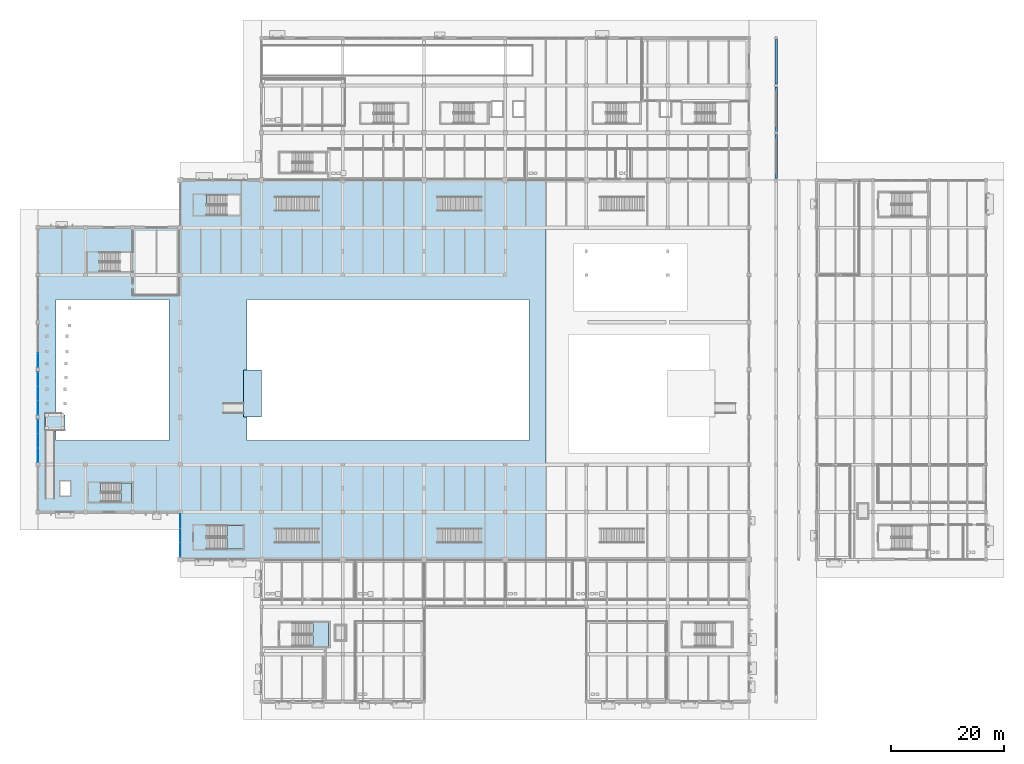
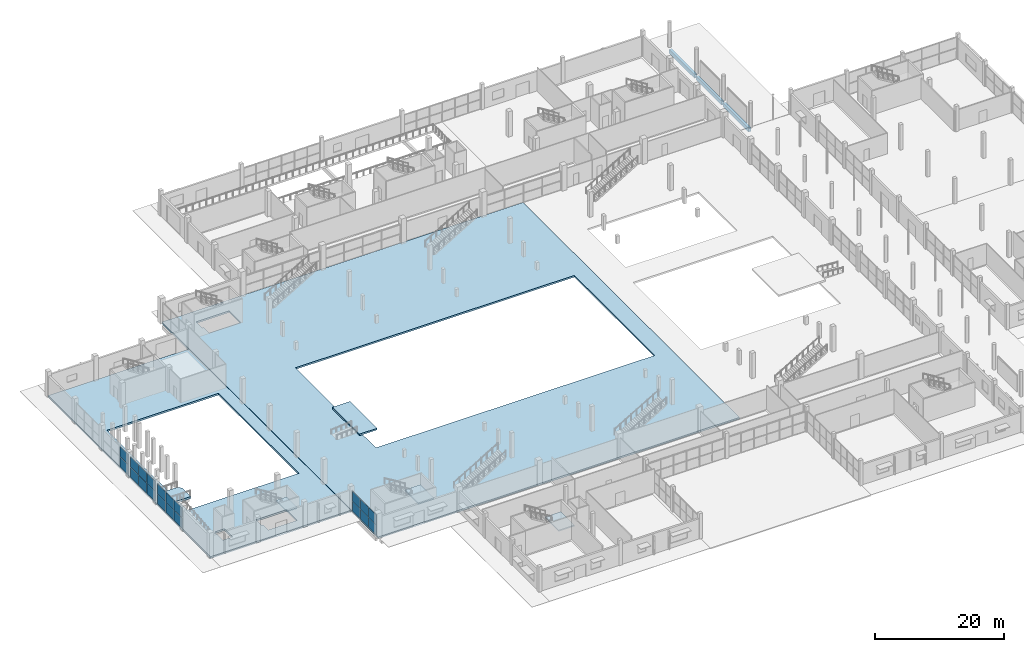
# One storey, part 82 of 130: 20 plates, 7 slabs, 3 beams, 7 elements without a shape of their own.
"""IFC4 building model written with IfcOpenShell, lengths in metres."""

from ifc_helpers import new_model, si_unit, direction, frame, origin, origin_2d, place, context, subcontext, project, spatial, polyline, rectangle, outline, extrude, material, layer, layer_set, material_profile, profile_set, type_object, element, aggregate, save


model = new_model("IFC4")

# Units and contexts
model_context = context("Model", 3, precision=1e-05, world=origin(), true_north=direction((0.0, 1.0)))
body_context = subcontext(model_context, "Body", "Model", "MODEL_VIEW")
ifc_project = project(units=[si_unit("LENGTHUNIT", "METRE"), si_unit("AREAUNIT", "SQUARE_METRE"), si_unit("VOLUMEUNIT", "CUBIC_METRE"), si_unit("PLANEANGLEUNIT", "RADIAN"), si_unit("MASSUNIT", "GRAM", prefix="KILO"), si_unit("THERMODYNAMICTEMPERATUREUNIT", "KELVIN")], contexts=[model_context])

# Site, building, storey
site_placement = place(None, origin())
site = spatial("IfcSite", under=ifc_project, at=site_placement, CompositionType="ELEMENT")
building_placement = place(site_placement, origin())
building = spatial("IfcBuilding", under=site, at=building_placement, Name="Nduvali Passage Aquatics Centre", CompositionType="ELEMENT")
storey_placement = place(building_placement, origin())
storey = spatial("IfcBuildingStorey", under=building, at=storey_placement, Name="L00", CompositionType="ELEMENT", Elevation=0.0)

# Beams
ifc_material_1 = material(Name="Concrete C40/50", Category="concrete")
ifc_material_profile = material_profile(ifc_material_1, rectangle(XDim=0.449951171875, YDim=0.75, at=origin_2d()), Name="RC 450x750")
ifc_profile_set = profile_set([ifc_material_profile], Name="Concrete C40/50")
beam_type = type_object("IfcBeamType", Name="STR-BM-RC4575", PredefinedType="BEAM", material=ifc_profile_set)
beam_1_placement = place(storey_placement, frame((130.800048828125, 92.675048828125, -0.675048828125), z_axis=(0.0, 1.0, 0.0), x_axis=(-1.0, 0.0, 0.0)))
element("IfcBeam", 1, at=beam_1_placement, inside=storey, type_object=beam_type, Name="L00 Primary Y-Girder B3-0212", PredefinedType="BEAM", context=body_context, shape_type="SweptSolid", body=[
    extrude(rectangle(XDim=0.449951171875, YDim=0.75, at=origin_2d()), origin(), (0.0, 0.0, 1.0), 7.849853515625),
])
beam_2_placement = place(storey_placement, frame((130.800048828125, 101.074951171875, -0.675048828125), z_axis=(0.0, 1.0, 0.0), x_axis=(-1.0, 0.0, 0.0)))
element("IfcBeam", 2, at=beam_2_placement, inside=storey, type_object=beam_type, Name="L00 Primary Y-Girder B3-0213", PredefinedType="BEAM", context=body_context, shape_type="SweptSolid", body=[
    extrude(rectangle(XDim=0.449951171875, YDim=0.75, at=origin_2d()), origin(), (0.0, 0.0, 1.0), 7.85009765625),
])
beam_3_placement = place(storey_placement, frame((130.800048828125, 109.47509765625, -0.675048828125), z_axis=(0.0, 1.0, 0.0), x_axis=(-1.0, 0.0, 0.0)))
element("IfcBeam", 3, at=beam_3_placement, inside=storey, type_object=beam_type, Name="L00 Primary Y-Girder B3-0214", PredefinedType="BEAM", context=body_context, shape_type="SweptSolid", body=[
    extrude(rectangle(XDim=0.449951171875, YDim=0.75, at=origin_2d()), origin(), (0.0, 0.0, 1.0), 7.849853515625),
])

# Curtain wall, plates
ifc_material_2 = material(Name="Aluminium EN AW-6063 T6", Category="aluminium")
curtain_wall_type_1 = type_object("IfcCurtainWallType", Name="ENV-CW-HALL", PredefinedType="NOTDEFINED", material=ifc_material_2)
curtain_wall_1_placement = place(storey_placement, origin())
curtain_wall_1 = element("IfcCurtainWall", 4, at=curtain_wall_1_placement, inside=storey, type_object=curtain_wall_type_1, Name="L00 West Pool Hall Lower Glazing 001", PredefinedType="NOTDEFINED")
ifc_material_3 = material(Name="Laminated solar-control low-E IGU")
ifc_layer_1 = layer(ifc_material_3, 0.031982421875, Name="Laminated solar-control low-E IGU")
ifc_layer_set_1 = layer_set([ifc_layer_1], Name="Laminated solar-control low-E IGU")
plate_type = type_object("IfcPlateType", Name="ENV-PLT-GLZ32", PredefinedType="CURTAIN_PANEL", material=ifc_layer_set_1)
plate_1_placement = place(storey_placement, frame((25.199951171875, 26.927490234375, 0.06005859375), z_axis=(0.0, 0.0, 1.0), x_axis=(0.0, 1.0, 0.0)))
plate_1 = element("IfcPlate", 5, at=plate_1_placement, type_object=plate_type, Name="West Pool Hall Lower Glazing Glazed Panel B1-R1", PredefinedType="CURTAIN_PANEL", context=body_context, shape_type="SweptSolid", body=[
    extrude(rectangle(XDim=2.43505859375, YDim=0.031982421875, at=origin_2d()), origin(), (0.0, 0.0, 1.0), 1.898193359375),
])
plate_2_placement = place(storey_placement, frame((25.199951171875, 26.927490234375, 2.01806640625), z_axis=(0.0, 0.0, 1.0), x_axis=(0.0, 1.0, 0.0)))
plate_2 = element("IfcPlate", 6, at=plate_2_placement, type_object=plate_type, Name="West Pool Hall Lower Glazing Glazed Panel B1-R2", PredefinedType="CURTAIN_PANEL", context=body_context, shape_type="SweptSolid", body=[
    extrude(rectangle(XDim=2.43505859375, YDim=0.031982421875, at=origin_2d()), origin(), (0.0, 0.0, 1.0), 1.898193359375),
])
plate_3_placement = place(storey_placement, frame((25.199951171875, 29.4375, 0.06005859375), z_axis=(0.0, 0.0, 1.0), x_axis=(0.0, 1.0, 0.0)))
plate_3 = element("IfcPlate", 7, at=plate_3_placement, type_object=plate_type, Name="West Pool Hall Lower Glazing Glazed Panel B2-R1", PredefinedType="CURTAIN_PANEL", context=body_context, shape_type="SweptSolid", body=[
    extrude(rectangle(XDim=2.465087890625, YDim=0.031982421875, at=origin_2d()), origin(), (0.0, 0.0, 1.0), 1.898193359375),
])
plate_4_placement = place(storey_placement, frame((25.199951171875, 29.4375, 2.01806640625), z_axis=(0.0, 0.0, 1.0), x_axis=(0.0, 1.0, 0.0)))
plate_4 = element("IfcPlate", 8, at=plate_4_placement, type_object=plate_type, Name="West Pool Hall Lower Glazing Glazed Panel B2-R2", PredefinedType="CURTAIN_PANEL", context=body_context, shape_type="SweptSolid", body=[
    extrude(rectangle(XDim=2.465087890625, YDim=0.031982421875, at=origin_2d()), origin(), (0.0, 0.0, 1.0), 1.898193359375),
])
plate_5_placement = place(storey_placement, frame((25.199951171875, 31.947509765625, 0.06005859375), z_axis=(0.0, 0.0, 1.0), x_axis=(0.0, 1.0, 0.0)))
plate_5 = element("IfcPlate", 9, at=plate_5_placement, type_object=plate_type, Name="West Pool Hall Lower Glazing Glazed Panel B3-R1", PredefinedType="CURTAIN_PANEL", context=body_context, shape_type="SweptSolid", body=[
    extrude(rectangle(XDim=2.43505859375, YDim=0.031982421875, at=origin_2d()), origin(), (0.0, 0.0, 1.0), 1.898193359375),
])
plate_6_placement = place(storey_placement, frame((25.199951171875, 31.947509765625, 2.01806640625), z_axis=(0.0, 0.0, 1.0), x_axis=(0.0, 1.0, 0.0)))
plate_6 = element("IfcPlate", 10, at=plate_6_placement, type_object=plate_type, Name="West Pool Hall Lower Glazing Glazed Panel B3-R2", PredefinedType="CURTAIN_PANEL", context=body_context, shape_type="SweptSolid", body=[
    extrude(rectangle(XDim=2.43505859375, YDim=0.031982421875, at=origin_2d()), origin(), (0.0, 0.0, 1.0), 1.898193359375),
])
aggregate(curtain_wall_1, [plate_1, plate_2, plate_3, plate_4, plate_5, plate_6])

curtain_wall_type_2 = type_object("IfcCurtainWallType", Name="ENV-CW-DIVE", PredefinedType="NOTDEFINED", material=ifc_material_2)
curtain_wall_2_placement = place(storey_placement, origin())
curtain_wall_2 = element("IfcCurtainWall", 11, at=curtain_wall_2_placement, inside=storey, type_object=curtain_wall_type_2, Name="L00 West Diving Pool Viewing CW 127", PredefinedType="NOTDEFINED")
plate_7_placement = place(storey_placement, frame((0.0, 43.6650390625, 0.06005859375), z_axis=(0.0, 0.0, 1.0), x_axis=(0.0, 1.0, 0.0)))
plate_7 = element("IfcPlate", 12, at=plate_7_placement, type_object=plate_type, Name="West Diving Pool Viewing CW Glazed Panel B1-R1", PredefinedType="CURTAIN_PANEL", context=body_context, shape_type="SweptSolid", body=[
    extrude(rectangle(XDim=2.4599609375, YDim=0.031982421875, at=origin_2d()), origin(), (0.0, 0.0, 1.0), 1.898193359375),
])
plate_8_placement = place(storey_placement, frame((0.0, 43.6650390625, 2.01806640625), z_axis=(0.0, 0.0, 1.0), x_axis=(0.0, 1.0, 0.0)))
plate_8 = element("IfcPlate", 13, at=plate_8_placement, type_object=plate_type, Name="West Diving Pool Viewing CW Glazed Panel B1-R2", PredefinedType="CURTAIN_PANEL", context=body_context, shape_type="SweptSolid", body=[
    extrude(rectangle(XDim=2.4599609375, YDim=0.031982421875, at=origin_2d()), origin(), (0.0, 0.0, 1.0), 1.898193359375),
])
plate_9_placement = place(storey_placement, frame((0.0, 46.199951171875, 0.06005859375), z_axis=(0.0, 0.0, 1.0), x_axis=(0.0, 1.0, 0.0)))
plate_9 = element("IfcPlate", 14, at=plate_9_placement, type_object=plate_type, Name="West Diving Pool Viewing CW Glazed Panel B2-R1", PredefinedType="CURTAIN_PANEL", context=body_context, shape_type="SweptSolid", body=[
    extrude(rectangle(XDim=2.489990234375, YDim=0.031982421875, at=origin_2d()), origin(), (0.0, 0.0, 1.0), 1.898193359375),
])
plate_10_placement = place(storey_placement, frame((0.0, 46.199951171875, 2.01806640625), z_axis=(0.0, 0.0, 1.0), x_axis=(0.0, 1.0, 0.0)))
plate_10 = element("IfcPlate", 15, at=plate_10_placement, type_object=plate_type, Name="West Diving Pool Viewing CW Glazed Panel B2-R2", PredefinedType="CURTAIN_PANEL", context=body_context, shape_type="SweptSolid", body=[
    extrude(rectangle(XDim=2.489990234375, YDim=0.031982421875, at=origin_2d()), origin(), (0.0, 0.0, 1.0), 1.898193359375),
])
plate_11_placement = place(storey_placement, frame((0.0, 48.735107421875, 0.06005859375), z_axis=(0.0, 0.0, 1.0), x_axis=(0.0, 1.0, 0.0)))
plate_11 = element("IfcPlate", 16, at=plate_11_placement, type_object=plate_type, Name="West Diving Pool Viewing CW Glazed Panel B3-R1", PredefinedType="CURTAIN_PANEL", context=body_context, shape_type="SweptSolid", body=[
    extrude(rectangle(XDim=2.4599609375, YDim=0.031982421875, at=origin_2d()), origin(), (0.0, 0.0, 1.0), 1.898193359375),
])
plate_12_placement = place(storey_placement, frame((0.0, 48.735107421875, 2.01806640625), z_axis=(0.0, 0.0, 1.0), x_axis=(0.0, 1.0, 0.0)))
plate_12 = element("IfcPlate", 17, at=plate_12_placement, type_object=plate_type, Name="West Diving Pool Viewing CW Glazed Panel B3-R2", PredefinedType="CURTAIN_PANEL", context=body_context, shape_type="SweptSolid", body=[
    extrude(rectangle(XDim=2.4599609375, YDim=0.031982421875, at=origin_2d()), origin(), (0.0, 0.0, 1.0), 1.898193359375),
])
aggregate(curtain_wall_2, [plate_7, plate_8, plate_9, plate_10, plate_11, plate_12])

curtain_wall_3_placement = place(storey_placement, origin())
curtain_wall_3 = element("IfcCurtainWall", 18, at=curtain_wall_3_placement, inside=storey, type_object=curtain_wall_type_2, Name="L00 West Diving Pool Viewing CW 132", PredefinedType="NOTDEFINED")
plate_13_placement = place(storey_placement, frame((0.0, 52.06494140625, 0.06005859375), z_axis=(0.0, 0.0, 1.0), x_axis=(0.0, 1.0, 0.0)))
plate_13 = element("IfcPlate", 19, at=plate_13_placement, type_object=plate_type, Name="West Diving Pool Viewing CW Glazed Panel B1-R1", PredefinedType="CURTAIN_PANEL", context=body_context, shape_type="SweptSolid", body=[
    extrude(rectangle(XDim=2.4599609375, YDim=0.031982421875, at=origin_2d()), origin(), (0.0, 0.0, 1.0), 1.898193359375),
])
plate_14_placement = place(storey_placement, frame((0.0, 52.06494140625, 2.01806640625), z_axis=(0.0, 0.0, 1.0), x_axis=(0.0, 1.0, 0.0)))
plate_14 = element("IfcPlate", 20, at=plate_14_placement, type_object=plate_type, Name="West Diving Pool Viewing CW Glazed Panel B1-R2", PredefinedType="CURTAIN_PANEL", context=body_context, shape_type="SweptSolid", body=[
    extrude(rectangle(XDim=2.4599609375, YDim=0.031982421875, at=origin_2d()), origin(), (0.0, 0.0, 1.0), 1.898193359375),
])
plate_15_placement = place(storey_placement, frame((0.0, 54.60009765625, 0.06005859375), z_axis=(0.0, 0.0, 1.0), x_axis=(0.0, 1.0, 0.0)))
plate_15 = element("IfcPlate", 21, at=plate_15_placement, type_object=plate_type, Name="West Diving Pool Viewing CW Glazed Panel B2-R1", PredefinedType="CURTAIN_PANEL", context=body_context, shape_type="SweptSolid", body=[
    extrude(rectangle(XDim=2.489990234375, YDim=0.031982421875, at=origin_2d()), origin(), (0.0, 0.0, 1.0), 1.898193359375),
])
plate_16_placement = place(storey_placement, frame((0.0, 54.60009765625, 2.01806640625), z_axis=(0.0, 0.0, 1.0), x_axis=(0.0, 1.0, 0.0)))
plate_16 = element("IfcPlate", 22, at=plate_16_placement, type_object=plate_type, Name="West Diving Pool Viewing CW Glazed Panel B2-R2", PredefinedType="CURTAIN_PANEL", context=body_context, shape_type="SweptSolid", body=[
    extrude(rectangle(XDim=2.489990234375, YDim=0.031982421875, at=origin_2d()), origin(), (0.0, 0.0, 1.0), 1.898193359375),
])
plate_17_placement = place(storey_placement, frame((0.0, 57.135009765625, 0.06005859375), z_axis=(0.0, 0.0, 1.0), x_axis=(0.0, 1.0, 0.0)))
plate_17 = element("IfcPlate", 23, at=plate_17_placement, type_object=plate_type, Name="West Diving Pool Viewing CW Glazed Panel B3-R1", PredefinedType="CURTAIN_PANEL", context=body_context, shape_type="SweptSolid", body=[
    extrude(rectangle(XDim=2.4599609375, YDim=0.031982421875, at=origin_2d()), origin(), (0.0, 0.0, 1.0), 1.898193359375),
])
plate_18_placement = place(storey_placement, frame((0.0, 57.135009765625, 2.01806640625), z_axis=(0.0, 0.0, 1.0), x_axis=(0.0, 1.0, 0.0)))
plate_18 = element("IfcPlate", 24, at=plate_18_placement, type_object=plate_type, Name="West Diving Pool Viewing CW Glazed Panel B3-R2", PredefinedType="CURTAIN_PANEL", context=body_context, shape_type="SweptSolid", body=[
    extrude(rectangle(XDim=2.4599609375, YDim=0.031982421875, at=origin_2d()), origin(), (0.0, 0.0, 1.0), 1.898193359375),
])
aggregate(curtain_wall_3, [plate_13, plate_14, plate_15, plate_16, plate_17, plate_18])

curtain_wall_4_placement = place(storey_placement, origin())
curtain_wall_4 = element("IfcCurtainWall", 25, at=curtain_wall_4_placement, inside=storey, type_object=curtain_wall_type_2, Name="L00 West Diving Pool Viewing CW 137", PredefinedType="NOTDEFINED")
plate_19_placement = place(storey_placement, frame((0.0, 60.465087890625, 0.06005859375), z_axis=(0.0, 0.0, 1.0), x_axis=(0.0, 1.0, 0.0)))
plate_19 = element("IfcPlate", 26, at=plate_19_placement, type_object=plate_type, Name="West Diving Pool Viewing CW Glazed Panel B1-R1", PredefinedType="CURTAIN_PANEL", context=body_context, shape_type="SweptSolid", body=[
    extrude(rectangle(XDim=2.4599609375, YDim=0.031982421875, at=origin_2d()), origin(), (0.0, 0.0, 1.0), 1.898193359375),
])
plate_20_placement = place(storey_placement, frame((0.0, 60.465087890625, 2.01806640625), z_axis=(0.0, 0.0, 1.0), x_axis=(0.0, 1.0, 0.0)))
plate_20 = element("IfcPlate", 27, at=plate_20_placement, type_object=plate_type, Name="West Diving Pool Viewing CW Glazed Panel B1-R2", PredefinedType="CURTAIN_PANEL", context=body_context, shape_type="SweptSolid", body=[
    extrude(rectangle(XDim=2.4599609375, YDim=0.031982421875, at=origin_2d()), origin(), (0.0, 0.0, 1.0), 1.898193359375),
])
aggregate(curtain_wall_4, [plate_19, plate_20])

# Stair, slab
stair_type_1 = type_object("IfcStairType", Name="INT-STR-CORE202", PredefinedType="HALF_TURN_STAIR", material=ifc_material_1)
stair_1_placement = place(storey_placement, origin())
stair_1 = element("IfcStair", 28, at=stair_1_placement, inside=storey, type_object=stair_type_1, Name="L00 ST5", PredefinedType="HALF_TURN_STAIR")
ifc_layer_2 = layer(ifc_material_1, 0.219970703125, Name="Concrete C40/50")
ifc_layer_set_2 = layer_set([ifc_layer_2], Name="Concrete C40/50")
slab_type_1 = type_object("IfcSlabType", Name="INT-SLB-LAND170", PredefinedType="LANDING", material=ifc_layer_set_2)
slab_1_placement = place(storey_placement, frame((0.0, 0.0, 2.179931640625)))
slab_1 = element("IfcSlab", 29, at=slab_1_placement, type_object=slab_type_1, Name="ST5 landing 1", PredefinedType="LANDING", context=body_context, shape_type="SweptSolid", body=[
    extrude(outline(polyline([(48.68994140625, 9.800048828125), (51.5, 9.800048828125), (51.5, 13.989990234375), (48.68994140625, 13.989990234375), (48.68994140625, 9.800048828125)])), origin(), (0.0, 0.0, 1.0), 0.219970703125),
])
aggregate(stair_1, [slab_1])

stair_type_2 = type_object("IfcStairType", Name="INT-STR-CORE160", PredefinedType="HALF_TURN_STAIR", material=ifc_material_1)
stair_2_placement = place(storey_placement, origin())
stair_2 = element("IfcStair", 30, at=stair_2_placement, inside=storey, type_object=stair_type_2, Name="L00 ST9", PredefinedType="HALF_TURN_STAIR")
slab_2_placement = place(storey_placement, frame((0.0, 0.0, 2.179931640625)))
slab_2 = element("IfcSlab", 31, at=slab_2_placement, type_object=slab_type_1, Name="ST9 landing 1", PredefinedType="LANDING", context=body_context, shape_type="SweptSolid", body=[
    extrude(outline(polyline([(14.739990234375, 35.39990234375), (16.60009765625, 35.39990234375), (16.60009765625, 38.75), (14.739990234375, 38.75), (14.739990234375, 35.39990234375)])), origin(), (0.0, 0.0, 1.0), 0.219970703125),
])
aggregate(stair_2, [slab_2])

stair_type_3 = type_object("IfcStairType", Name="INT-STR-CORE205", PredefinedType="HALF_TURN_STAIR", material=ifc_material_1)
stair_3_placement = place(storey_placement, origin())
stair_3 = element("IfcStair", 32, at=stair_3_placement, inside=storey, type_object=stair_type_3, Name="L00 ST13", PredefinedType="HALF_TURN_STAIR")
slab_3_placement = place(storey_placement, frame((0.0, 0.0, 2.179931640625)))
slab_3 = element("IfcSlab", 33, at=slab_3_placement, type_object=slab_type_1, Name="ST13 landing 1", PredefinedType="LANDING", context=body_context, shape_type="SweptSolid", body=[
    extrude(outline(polyline([(33.489990234375, 27.0), (36.300048828125, 27.0), (36.300048828125, 31.25), (33.489990234375, 31.25), (33.489990234375, 27.0)])), origin(), (0.0, 0.0, 1.0), 0.219970703125),
])
aggregate(stair_3, [slab_3])

# Slabs
ifc_material_4 = material(Name="Waterproof concrete C40/50", Category="concrete")
ifc_layer_3 = layer(ifc_material_4, 0.320068359375, Name="Waterproof concrete C40/50")
ifc_layer_set_3 = layer_set([ifc_layer_3], Name="Waterproof concrete C40/50")
slab_type_2 = type_object("IfcSlabType", Name="STR-SLB-DECK320", PredefinedType="BASESLAB", material=ifc_layer_set_3)
slab_4_placement = place(storey_placement, frame((0.0, 0.0, -0.320068359375)))
element("IfcSlab", 34, at=slab_4_placement, inside=storey, type_object=slab_type_2, Name="L00 Competition Pool Hall Concourse Slab", PredefinedType="BASESLAB", context=body_context, shape_type="SweptSolid", body=[
    extrude(outline(polyline([(25.25, 25.199951171875), (90.0, 25.199951171875), (90.0, 92.39990234375), (25.25, 92.39990234375), (25.25, 25.199951171875)]), holes=[polyline([(30.1298828125, 86.199951171875), (35.800048828125, 86.199951171875), (35.800048828125, 89.7900390625), (29.85009765625, 89.7900390625), (29.85009765625, 87.919921875), (30.1298828125, 87.919921875), (30.1298828125, 86.199951171875)]), polyline([(36.989990234375, 46.300048828125), (87.010009765625, 46.300048828125), (87.010009765625, 71.300048828125), (36.989990234375, 71.300048828125), (36.989990234375, 46.300048828125)])]), origin(), (0.0, 0.0, 1.0), 0.320068359375),
])
ifc_layer_4 = layer(ifc_material_4, 0.340087890625, Name="Waterproof concrete C40/50")
ifc_layer_set_4 = layer_set([ifc_layer_4], Name="Waterproof concrete C40/50")
slab_type_3 = type_object("IfcSlabType", Name="STR-SLB-DECK340", PredefinedType="BASESLAB", material=ifc_layer_set_4)
slab_5_placement = place(storey_placement, frame((0.0, 0.0, -0.340087890625)))
element("IfcSlab", 35, at=slab_5_placement, inside=storey, type_object=slab_type_3, Name="L00 Diving Pool Hall Concourse Slab", PredefinedType="BASESLAB", context=body_context, shape_type="SweptSolid", body=[
    extrude(outline(polyline([(0.0, 33.60009765625), (25.199951171875, 33.60009765625), (25.199951171875, 84.0), (0.0, 84.0), (0.0, 33.60009765625)]), holes=[polyline([(11.3798828125, 35.39990234375), (16.60009765625, 35.39990234375), (16.60009765625, 38.75), (11.10009765625, 38.75), (11.10009765625, 37.0), (11.3798828125, 37.0), (11.3798828125, 35.39990234375)]), polyline([(3.919921875, 36.52001953125), (5.679931640625, 36.52001953125), (5.679931640625, 39.080078125), (3.919921875, 39.080078125), (3.919921875, 36.52001953125)]), polyline([(3.199951171875, 46.300048828125), (23.199951171875, 46.300048828125), (23.199951171875, 71.300048828125), (3.199951171875, 71.300048828125), (3.199951171875, 46.300048828125)])]), origin(), (0.0, 0.0, 1.0), 0.340087890625),
])
ifc_layer_5 = layer(ifc_material_1, 0.3798828125, Name="Concrete C40/50")
ifc_layer_set_5 = layer_set([ifc_layer_5], Name="Concrete C40/50")
slab_type_4 = type_object("IfcSlabType", Name="STR-SLB-DIVE380", PredefinedType="FLOOR", material=ifc_layer_set_5)
slab_6_placement = place(storey_placement, frame((0.0, 0.0, 0.6201171875)))
element("IfcSlab", 36, at=slab_6_placement, inside=storey, type_object=slab_type_4, Name="Diving Tower 1M Platform Slab", PredefinedType="FLOOR", context=body_context, shape_type="SweptSolid", body=[
    extrude(outline(polyline([(1.199951171875, 48.0), (4.800048828125, 48.0), (4.800048828125, 50.699951171875), (4.199951171875, 51.199951171875), (1.199951171875, 51.199951171875), (1.199951171875, 48.0)])), origin(), (0.0, 0.0, 1.0), 0.3798828125),
])
ifc_layer_6 = layer(ifc_material_1, 0.300048828125, Name="Concrete C40/50")
ifc_layer_set_6 = layer_set([ifc_layer_6], Name="Concrete C40/50")
slab_type_5 = type_object("IfcSlabType", Name="STR-SLB-PLINTH300", PredefinedType="FLOOR", material=ifc_layer_set_6)
slab_7_placement = place(storey_placement, origin())
element("IfcSlab", 37, at=slab_7_placement, inside=storey, type_object=slab_type_5, Name="Competition Poolside Timing Plinth Ramp PR1 Raised Viewing Plinth Slab", PredefinedType="FLOOR", context=body_context, shape_type="SweptSolid", body=[
    extrude(outline(polyline([(36.39990234375, 50.39990234375), (39.60009765625, 50.39990234375), (39.60009765625, 58.800048828125), (36.39990234375, 58.800048828125), (36.39990234375, 50.39990234375)])), origin(), (0.0, 0.0, 1.0), 0.300048828125),
])

save(model, "model.ifc")
